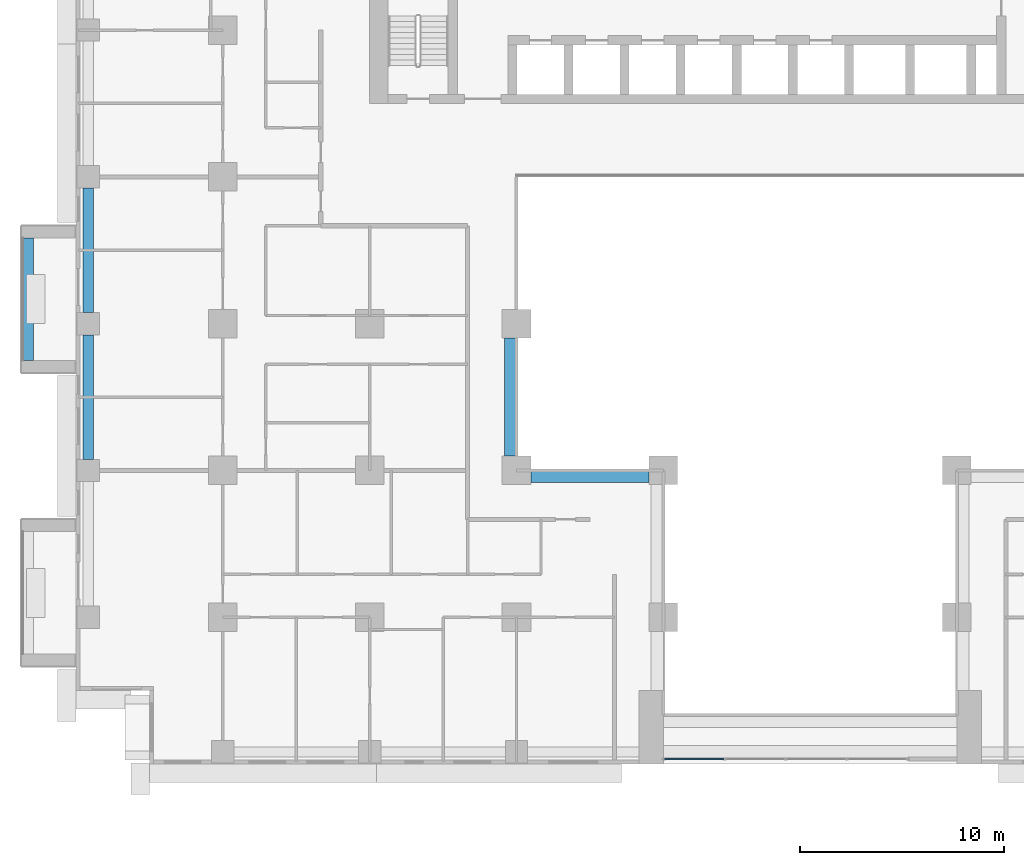
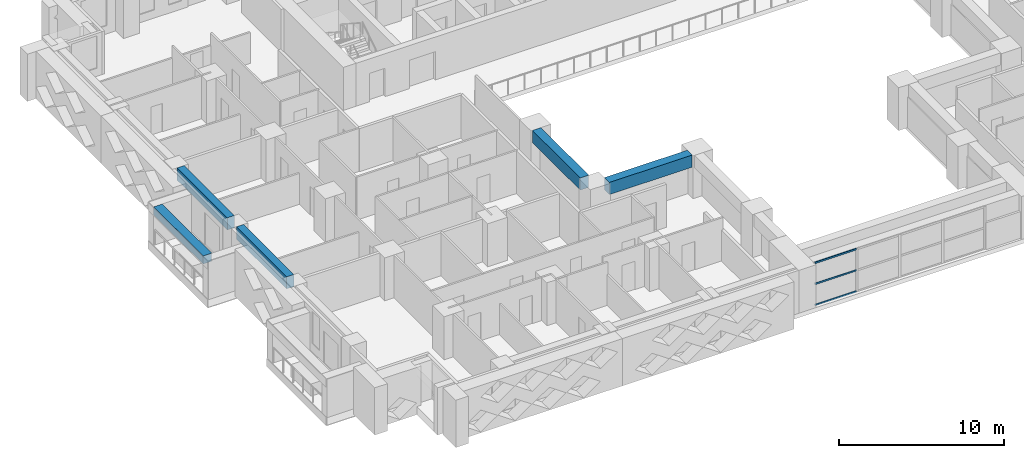
# One storey, part 3 of 16: 5 beams, 3 members, 1 element without a shape of its own.
"""IFC4 building model written with IfcOpenShell, lengths in metres."""

from ifc_helpers import new_model, si_unit, direction, frame, origin, origin_2d, place, context, subcontext, project, spatial, rectangle, extrude, source, transform, mapped, material, layer, layer_set, material_profile, profile_set, type_object, element, aggregate, save


model = new_model("IFC4")

# Units and contexts
model_context = context("Model", 3, precision=1e-05, world=origin(), true_north=direction((0.0, 1.0)))
body_context = subcontext(model_context, "Body", "Model", "MODEL_VIEW")
ifc_project = project(units=[si_unit("LENGTHUNIT", "METRE"), si_unit("AREAUNIT", "SQUARE_METRE"), si_unit("VOLUMEUNIT", "CUBIC_METRE"), si_unit("PLANEANGLEUNIT", "RADIAN"), si_unit("MASSUNIT", "GRAM", prefix="KILO")], contexts=[model_context])

# Site, building, storey
site_placement = place(None, origin())
site = spatial("IfcSite", under=ifc_project, at=site_placement, CompositionType="ELEMENT")
building_placement = place(site_placement, origin())
building = spatial("IfcBuilding", under=site, at=building_placement, Name="Saffron Iwan Residences", CompositionType="ELEMENT")
storey_placement = place(building_placement, frame((0.0, 0.0, 30.5)))
storey = spatial("IfcBuildingStorey", under=building, at=storey_placement, Name="L06", CompositionType="ELEMENT", Elevation=30.5)

# Beams
ifc_material_1 = material(Name="Concrete C60/75", Category="concrete")
ifc_material_profile_1 = material_profile(ifc_material_1, rectangle(XDim=0.5, YDim=0.89990234375, at=origin_2d()), Name="RC 500x900")
ifc_profile_set_1 = profile_set([ifc_material_profile_1], Name="Concrete C60/75")
beam_type_1 = type_object("IfcBeamType", Name="SPANDREL BEAM RC 500x900 C60/75 TOP 3180", PredefinedType="SPANDREL", material=ifc_profile_set_1)
shared_shape_1 = source(origin(), body_context, "Body", "SweptSolid", [
    extrude(rectangle(XDim=0.5, YDim=0.89990234375, at=origin_2d()), origin(), (0.0, 0.0, 1.0), 6.10009765625),
])
beam_1_placement = place(storey_placement, frame((15.0, 55.75, 2.72998046875), z_axis=(0.0, 1.0, 0.0), x_axis=(-1.0, 0.0, 0.0)))
element("IfcBeam", 1, at=beam_1_placement, inside=storey, type_object=beam_type_1, Name="Spandrel beam", PredefinedType="SPANDREL", context=body_context, shape_type="MappedRepresentation", body=[
    mapped(shared_shape_1, transform((0.0, 0.0, 0.0))),
])
shared_shape_2 = source(origin(), body_context, "Body", "SweptSolid", [
    extrude(rectangle(XDim=0.5, YDim=0.89990234375, at=origin_2d()), origin(), (0.0, 0.0, 1.0), 6.099853515625),
])
beam_2_placement = place(storey_placement, frame((15.0, 48.550048828125, 2.72998046875), z_axis=(0.0, 1.0, 0.0), x_axis=(-1.0, 0.0, 0.0)))
element("IfcBeam", 2, at=beam_2_placement, inside=storey, type_object=beam_type_1, Name="Spandrel beam", PredefinedType="SPANDREL", context=body_context, shape_type="MappedRepresentation", body=[
    mapped(shared_shape_2, transform((0.0, 0.0, 0.0))),
])
ifc_material_profile_2 = material_profile(ifc_material_1, rectangle(XDim=0.60009765625, YDim=0.89990234375, at=origin_2d()), Name="RC 600x900")
ifc_profile_set_2 = profile_set([ifc_material_profile_2], Name="Concrete C60/75")
beam_type_2 = type_object("IfcBeamType", Name="BEAM RC 600x900 C60/75 TOP 3180", PredefinedType="BEAM", material=ifc_profile_set_2)
shared_shape_3 = source(origin(), body_context, "Body", "SweptSolid", [
    extrude(rectangle(XDim=0.60009765625, YDim=0.89990234375, at=origin_2d()), origin(), (0.0, 0.0, 1.0), 5.800048828125),
])
for number, where, z_axis, x_axis, name in (
    (3, (42.5, 47.699951171875, 2.72998046875), (-1.0, 0.0, 0.0), (0.0, -1.0, 0.0), "Atrium edge beam"),
    (4, (35.699951171875, 48.699951171875, 2.72998046875), (0.0, 1.0, 0.0), (-1.0, 0.0, 0.0), "Atrium edge beam"),
):
    element("IfcBeam", number, at=place(storey_placement, frame(where, z_axis=z_axis, x_axis=x_axis)), inside=storey, type_object=beam_type_2, Name=name, PredefinedType="BEAM", context=body_context, shape_type="MappedRepresentation", body=[
        mapped(shared_shape_3, transform((0.0, 0.0, 0.0))),
    ])

# Curtain wall, members
ifc_material_2 = material(Name="Clear glass, laminated double glazed", Category="glass")
ifc_layer = layer(ifc_material_2, 0.199951171875)
ifc_layer_set = layer_set([ifc_layer], Name="Clear glass, laminated double glazed")
curtain_wall_type = type_object("IfcCurtainWallType", Name="CW-B IWAN PORTAL", PredefinedType="NOTDEFINED", material=ifc_layer_set)
curtain_wall_placement = place(storey_placement, origin())
curtain_wall = element("IfcCurtainWall", 5, at=curtain_wall_placement, inside=storey, type_object=curtain_wall_type, Name="Iwan portal glazing L06.1", PredefinedType="NOTDEFINED")
ifc_material_3 = material(Name="Aluminium 6063-T6", Category="aluminium")
ifc_material_profile_3 = material_profile(ifc_material_3, rectangle(XDim=0.06005859375, YDim=0.1201171875, at=origin_2d()), Name="CW-B TRANSOM 60 x 120")
ifc_profile_set_3 = profile_set([ifc_material_profile_3], Name="Aluminium 6063-T6")
member_type = type_object("IfcMemberType", Name="CW-B TRANSOM 60 x 120", PredefinedType="USERDEFINED", material=ifc_profile_set_3)
shared_shape_4 = source(origin(), body_context, "Body", "SweptSolid", [
    extrude(rectangle(XDim=0.06005859375, YDim=0.1201171875, at=origin_2d()), origin(), (0.0, 0.0, 1.0), 2.909912109375),
])
member_1_placement = place(storey_placement, frame((43.260009765625, 33.85009765625, 0.030029296875), z_axis=(1.0, 0.0, 0.0), x_axis=(0.0, 1.0, 0.0)))
member_1 = element("IfcMember", 6, at=member_1_placement, type_object=member_type, Name="CW-B transom 1.1", ObjectType="TRANSOM", PredefinedType="USERDEFINED", context=body_context, shape_type="MappedRepresentation", body=[
    mapped(shared_shape_4, transform((0.0, 0.0, 0.0))),
])
member_2_placement = place(storey_placement, frame((43.260009765625, 33.85009765625, 1.590087890625), z_axis=(1.0, 0.0, 0.0), x_axis=(0.0, 1.0, 0.0)))
member_2 = element("IfcMember", 7, at=member_2_placement, type_object=member_type, Name="CW-B transom 1.2", ObjectType="TRANSOM", PredefinedType="USERDEFINED", context=body_context, shape_type="MappedRepresentation", body=[
    mapped(shared_shape_4, transform((0.0, 0.0, 0.0))),
])
member_3_placement = place(storey_placement, frame((43.260009765625, 33.85009765625, 3.14990234375), z_axis=(1.0, 0.0, 0.0), x_axis=(0.0, 1.0, 0.0)))
member_3 = element("IfcMember", 8, at=member_3_placement, type_object=member_type, Name="CW-B transom 1.3", ObjectType="TRANSOM", PredefinedType="USERDEFINED", context=body_context, shape_type="MappedRepresentation", body=[
    mapped(shared_shape_4, transform((0.0, 0.0, 0.0))),
])
aggregate(curtain_wall, [member_1, member_2, member_3])

# Beam
ifc_material_4 = material(Name="Concrete C50/60 white painted", Category="concrete")
ifc_material_profile_4 = material_profile(ifc_material_4, rectangle(XDim=0.60009765625, YDim=0.60009765625, at=origin_2d()), Name="BALCONY FASCIA BEAM 600 x 600")
ifc_profile_set_4 = profile_set([ifc_material_profile_4], Name="Concrete C50/60 white painted")
beam_type_3 = type_object("IfcBeamType", Name="BALCONY FASCIA BEAM 600 x 600", PredefinedType="BEAM", material=ifc_profile_set_4)
shared_shape_5 = source(origin(), body_context, "Body", "SweptSolid", [
    extrude(rectangle(XDim=0.60009765625, YDim=0.60009765625, at=origin_2d()), origin(), (0.0, 0.0, 1.0), 6.0),
])
beam_3_placement = place(storey_placement, frame((12.0, 59.39990234375, 2.550048828125), z_axis=(0.0, -1.0, 0.0), x_axis=(1.0, 0.0, 0.0)))
element("IfcBeam", 9, at=beam_3_placement, inside=storey, type_object=beam_type_3, Name="Balcony fascia beam L06 F8-1", PredefinedType="BEAM", context=body_context, shape_type="MappedRepresentation", body=[
    mapped(shared_shape_5, transform((0.0, 0.0, 0.0))),
])

save(model, "model.ifc")
